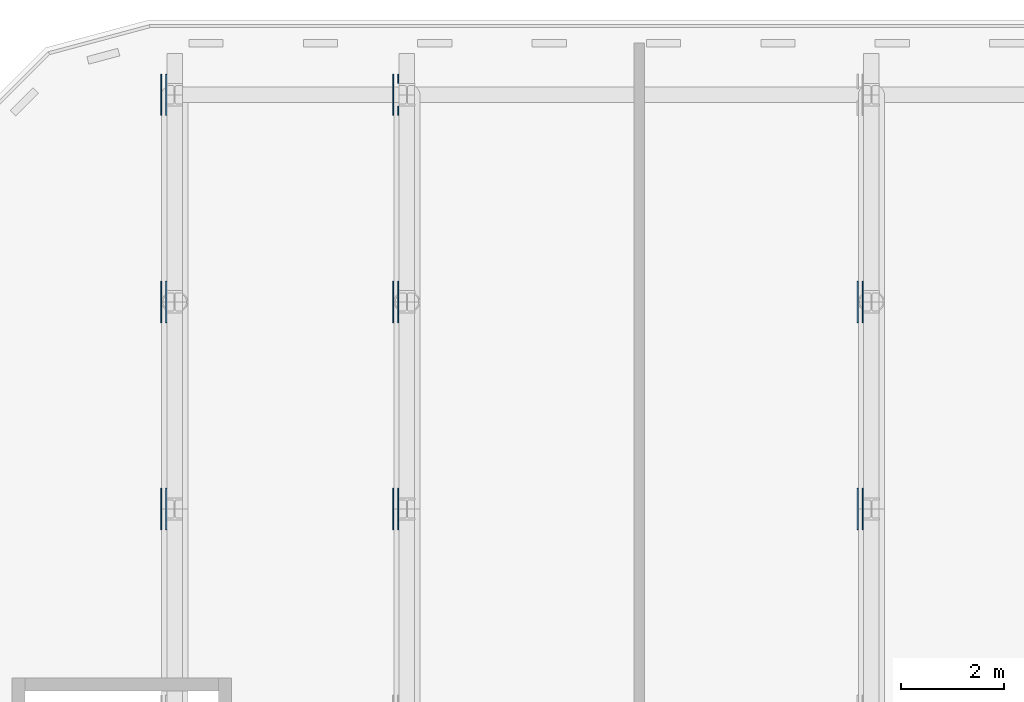
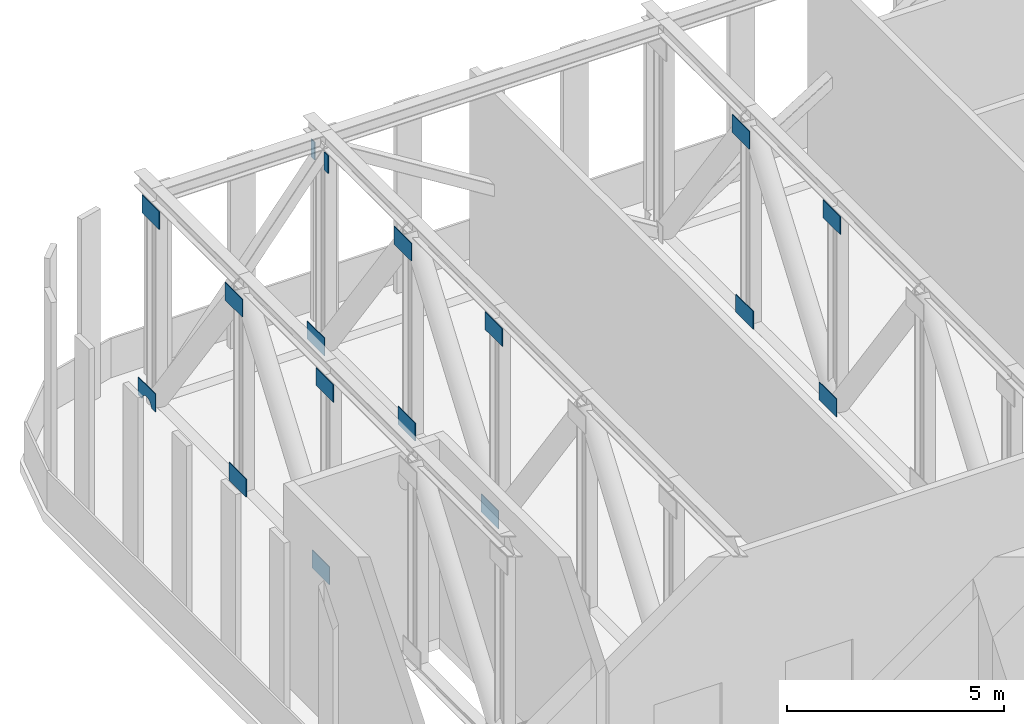
# One storey, part 14 of 26: 17 discrete accessories.
"""IFC4 building model written with IfcOpenShell, lengths in metres."""

from ifc_helpers import new_model, si_unit, direction, frame, origin, place, context, subcontext, project, spatial, polyline, outline, extrude, material, layer, layer_set, type_object, element, save


model = new_model("IFC4")

# Units and contexts
model_context = context("Model", 3, precision=1e-05, world=origin(), true_north=direction((0.0, 1.0)))
body_context = subcontext(model_context, "Body", "Model", "MODEL_VIEW")
ifc_project = project(units=[si_unit("LENGTHUNIT", "METRE"), si_unit("AREAUNIT", "SQUARE_METRE"), si_unit("VOLUMEUNIT", "CUBIC_METRE"), si_unit("PLANEANGLEUNIT", "RADIAN"), si_unit("MASSUNIT", "GRAM", prefix="KILO")], contexts=[model_context])

# Site, building, storey
site_placement = place(None, origin())
site = spatial("IfcSite", under=ifc_project, at=site_placement, CompositionType="ELEMENT")
building_placement = place(site_placement, origin())
building = spatial("IfcBuilding", under=site, at=building_placement, Name="Kajstack Hotel Tower", CompositionType="ELEMENT")
storey_placement = place(building_placement, frame((0.0, 0.0, 47.0)))
storey = spatial("IfcBuildingStorey", under=building, at=storey_placement, Name="L07", CompositionType="ELEMENT", Elevation=47.0)

# Discrete accessories
ifc_material = material(Name="Steel S355J2", Category="steel")
ifc_layer = layer(ifc_material, 0.02001953125)
ifc_layer_set = layer_set([ifc_layer], Name="GUSSET PLATE")
discrete_accessory_type = type_object("IfcDiscreteAccessoryType", Name="GUSSET PLATE", PredefinedType="BRACKET", material=ifc_layer_set)
for number, where, z_axis, x_axis, name in (
    (1, (-40.77392578125, 12.52490234375, 0.0), (1.0, 0.0, 0.0), (0.0, 1.0, 0.0), "Gusset plate L07-005"),
    (2, (-40.673583984375, 12.52490234375, 5.10009765625), (1.0, 0.0, 0.0), (0.0, 1.0, 0.0), "Gusset plate L07-006"),
    (3, (-40.673583984375, 16.53759765625, 0.0), (1.0, 0.0, 0.0), (0.0, 1.0, 0.0), "Gusset plate L07-007"),
    (4, (-40.77392578125, 16.53759765625, 5.10009765625), (1.0, 0.0, 0.0), (0.0, 1.0, 0.0), "Gusset plate L07-008"),
):
    element("IfcDiscreteAccessory", number, at=place(storey_placement, frame(where, z_axis=z_axis, x_axis=x_axis)), inside=storey, type_object=discrete_accessory_type, Name=name, PredefinedType="BRACKET", context=body_context, shape_type="SweptSolid", body=[
        extrude(outline(polyline([(-0.39990234375, 0.0), (0.39990234375, 0.0), (0.39990234375, 0.5), (-0.39990234375, 0.5), (-0.39990234375, 0.0)])), origin(), (0.0, 0.0, 1.0), 0.02001953125),
    ])
discrete_accessory_1_placement = place(storey_placement, frame((-40.77392578125, 20.550048828125, 0.0), z_axis=(1.0, 0.0, 0.0), x_axis=(0.0, 1.0, 0.0)))
element("IfcDiscreteAccessory", 5, at=discrete_accessory_1_placement, inside=storey, type_object=discrete_accessory_type, Name="Gusset plate L07-009", PredefinedType="BRACKET", context=body_context, shape_type="SweptSolid", body=[
    extrude(outline(polyline([(-0.39990234375, 0.0), (-0.218994140625, 0.0), (-0.212646484375, 0.0283203125), (-0.205322265625, 0.048828125), (-0.19580078125, 0.068603515625), (-0.184814453125, 0.08740234375), (-0.171630859375, 0.104736328125), (-0.156982421875, 0.12109375), (-0.140869140625, 0.1357421875), (-0.12353515625, 0.148681640625), (-0.104736328125, 0.159912109375), (-0.0849609375, 0.169189453125), (-0.064453125, 0.176513671875), (-0.04345703125, 0.181884765625), (-0.021728515625, 0.18505859375), (0.0, 0.18603515625), (0.021728515625, 0.18505859375), (0.04345703125, 0.181884765625), (0.064453125, 0.176513671875), (0.0849609375, 0.169189453125), (0.104736328125, 0.159912109375), (0.12353515625, 0.148681640625), (0.140869140625, 0.1357421875), (0.156982421875, 0.12109375), (0.171630859375, 0.104736328125), (0.184814453125, 0.08740234375), (0.19580078125, 0.068603515625), (0.205322265625, 0.048828125), (0.212646484375, 0.0283203125), (0.218994140625, 0.0), (0.39990234375, 0.0), (0.39990234375, 0.5), (-0.39990234375, 0.5), (-0.39990234375, 0.0)])), origin(), (0.0, 0.0, 1.0), 0.02001953125),
])
for number, where, z_axis, x_axis, name in (
    (6, (-40.673583984375, 20.550048828125, 5.10009765625), (1.0, 0.0, 0.0), (0.0, 1.0, 0.0), "Gusset plate L07-010"),
    (7, (-36.27392578125, 12.52490234375, 0.0), (1.0, 0.0, 0.0), (0.0, 1.0, 0.0), "Gusset plate L07-015"),
    (8, (-36.173583984375, 12.52490234375, 5.10009765625), (1.0, 0.0, 0.0), (0.0, 1.0, 0.0), "Gusset plate L07-016"),
    (9, (-36.173583984375, 16.53759765625, 0.0), (1.0, 0.0, 0.0), (0.0, 1.0, 0.0), "Gusset plate L07-017"),
    (10, (-36.27392578125, 16.53759765625, 5.10009765625), (1.0, 0.0, 0.0), (0.0, 1.0, 0.0), "Gusset plate L07-018"),
    (11, (-36.27392578125, 20.550048828125, 0.0), (1.0, 0.0, 0.0), (0.0, 1.0, 0.0), "Gusset plate L07-019"),
):
    element("IfcDiscreteAccessory", number, at=place(storey_placement, frame(where, z_axis=z_axis, x_axis=x_axis)), inside=storey, type_object=discrete_accessory_type, Name=name, PredefinedType="BRACKET", context=body_context, shape_type="SweptSolid", body=[
        extrude(outline(polyline([(-0.39990234375, 0.0), (0.39990234375, 0.0), (0.39990234375, 0.5), (-0.39990234375, 0.5), (-0.39990234375, 0.0)])), origin(), (0.0, 0.0, 1.0), 0.02001953125),
    ])
discrete_accessory_2_placement = place(storey_placement, frame((-36.173583984375, 20.550048828125, 5.10009765625), z_axis=(1.0, 0.0, 0.0), x_axis=(0.0, 1.0, 0.0)))
element("IfcDiscreteAccessory", 12, at=discrete_accessory_2_placement, inside=storey, type_object=discrete_accessory_type, Name="Gusset plate L07-020", PredefinedType="BRACKET", context=body_context, shape_type="SweptSolid", body=[
    extrude(outline(polyline([(0.39990234375, 0.5), (0.22216796875, 0.5), (0.221923828125, 0.0), (0.39990234375, 0.0), (0.39990234375, 0.5)])), origin(), (0.0, 0.0, 1.0), 0.02001953125),
])
discrete_accessory_3_placement = place(storey_placement, frame((-36.173583984375, 20.550048828125, 5.10009765625), z_axis=(1.0, 0.0, 0.0), x_axis=(0.0, 1.0, 0.0)))
element("IfcDiscreteAccessory", 13, at=discrete_accessory_3_placement, inside=storey, type_object=discrete_accessory_type, Name="Gusset plate L07-021", PredefinedType="BRACKET", context=body_context, shape_type="SweptSolid", body=[
    extrude(outline(polyline([(-0.39990234375, 0.0), (-0.221923828125, 0.0), (-0.22216796875, 0.5), (-0.39990234375, 0.5), (-0.39990234375, 0.0)])), origin(), (0.0, 0.0, 1.0), 0.02001953125),
])
for number, where, z_axis, x_axis, name in (
    (14, (-27.27392578125, 12.52490234375, 0.0), (1.0, 0.0, 0.0), (0.0, 1.0, 0.0), "Gusset plate L07-026"),
    (15, (-27.173583984375, 12.52490234375, 5.10009765625), (1.0, 0.0, 0.0), (0.0, 1.0, 0.0), "Gusset plate L07-027"),
    (16, (-27.173583984375, 16.53759765625, 0.0), (1.0, 0.0, 0.0), (0.0, 1.0, 0.0), "Gusset plate L07-028"),
    (17, (-27.27392578125, 16.53759765625, 5.10009765625), (1.0, 0.0, 0.0), (0.0, 1.0, 0.0), "Gusset plate L07-029"),
):
    element("IfcDiscreteAccessory", number, at=place(storey_placement, frame(where, z_axis=z_axis, x_axis=x_axis)), inside=storey, type_object=discrete_accessory_type, Name=name, PredefinedType="BRACKET", context=body_context, shape_type="SweptSolid", body=[
        extrude(outline(polyline([(-0.39990234375, 0.0), (0.39990234375, 0.0), (0.39990234375, 0.5), (-0.39990234375, 0.5), (-0.39990234375, 0.0)])), origin(), (0.0, 0.0, 1.0), 0.02001953125),
    ])

save(model, "model.ifc")
